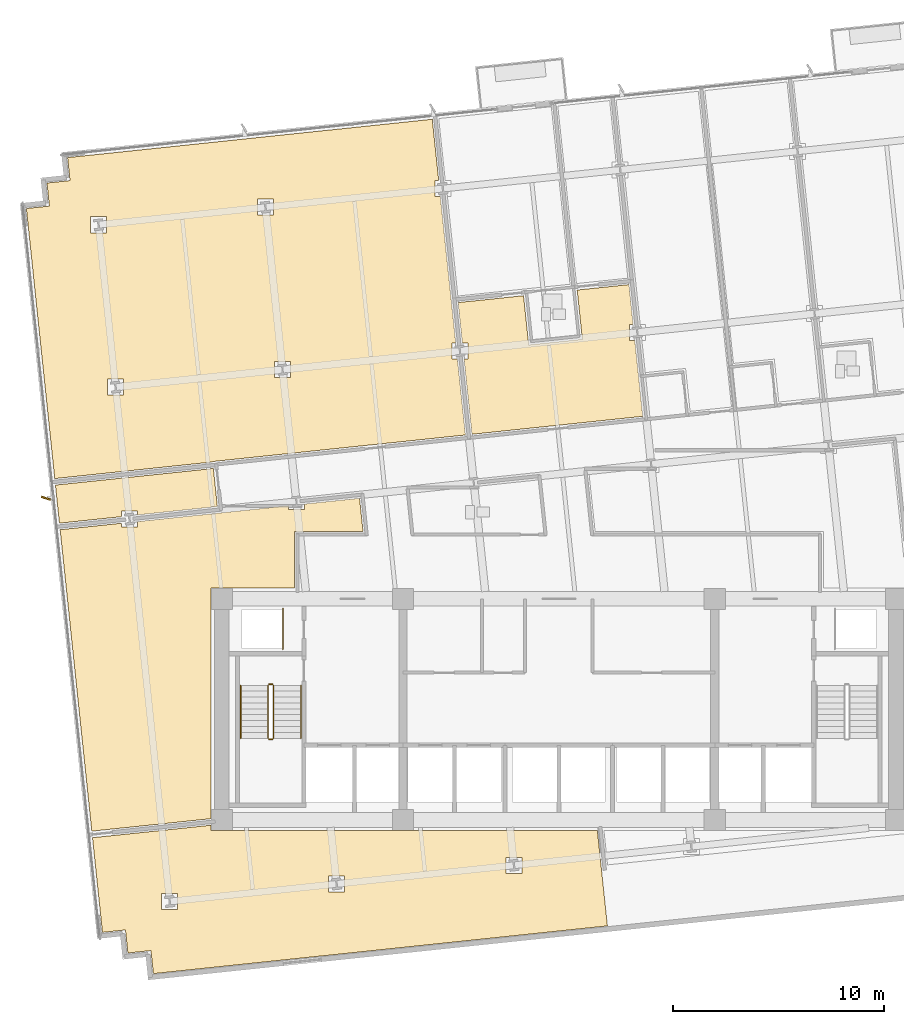
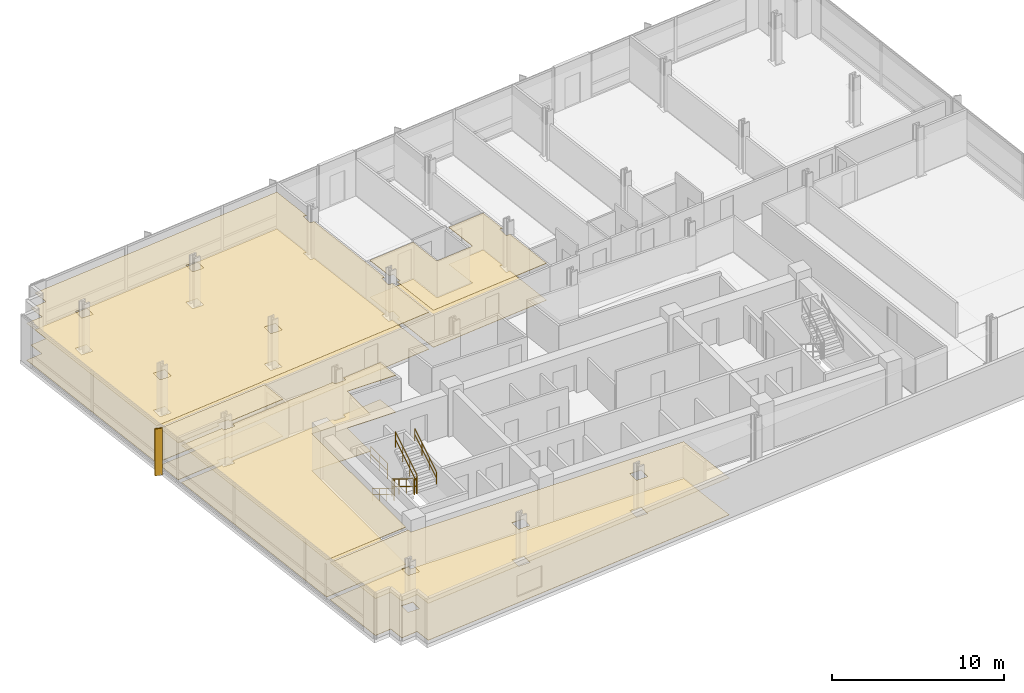
# One storey, part 14 of 17: 10 coverings, 7 railings, 1 shading device.
"""IFC4 building model written with IfcOpenShell, lengths in metres."""

from ifc_helpers import new_model, si_unit, direction, frame, origin, origin_2d, place, context, subcontext, project, spatial, polyline, rectangle, circle, outline, extrude, material, layer, layer_set, type_object, element, save


model = new_model("IFC4")

# Units and contexts
model_context = context("Model", 3, precision=1e-05, world=origin(), true_north=direction((0.0, 1.0)))
body_context = subcontext(model_context, "Body", "Model", "MODEL_VIEW")
ifc_project = project(units=[si_unit("LENGTHUNIT", "METRE"), si_unit("AREAUNIT", "SQUARE_METRE"), si_unit("VOLUMEUNIT", "CUBIC_METRE"), si_unit("PLANEANGLEUNIT", "RADIAN"), si_unit("MASSUNIT", "GRAM", prefix="KILO")], contexts=[model_context])

# Site, building, storey
site_placement = place(None, origin())
site = spatial("IfcSite", under=ifc_project, at=site_placement, CompositionType="ELEMENT")
building_placement = place(site_placement, origin())
building = spatial("IfcBuilding", under=site, at=building_placement, Name="Solmavex Isthmus Hotel", CompositionType="ELEMENT")
storey_placement = place(building_placement, frame((0.0, 0.0, 90.449951171875)))
storey = spatial("IfcBuildingStorey", under=building, at=storey_placement, Name="L24", CompositionType="ELEMENT", Elevation=90.449951171875)

# Coverings
ifc_material_1 = material(Name="Gypsum plasterboard lining", Category="gypsum")
ifc_layer_1 = layer(ifc_material_1, 0.030029296875)
ifc_layer_set_1 = layer_set([ifc_layer_1], Name="Gypsum plasterboard lining")
covering_type_1 = type_object("IfcCoveringType", Name="COV-CEIL-GYP", PredefinedType="CEILING", material=ifc_layer_set_1)
covering_1_placement = place(storey_placement, frame((0.0, 0.0, 2.6201171875)))
element("IfcCovering", 1, at=covering_1_placement, inside=storey, type_object=covering_type_1, Name="Suspended Acoustic Ceiling L24-RM01", PredefinedType="CEILING", context=body_context, shape_type="SweptSolid", body=[
    extrude(outline(polyline([(-16.43212890625, 3.99853515625), (-16.43408203125, 4.0185546875), (-4.434326171875, 5.27978515625), (-4.8134765625, 8.886962890625), (-5.077392578125, 8.886962890625), (-5.077392578125, 9.64697265625), (-4.893310546875, 9.64697265625), (-5.623779296875, 16.5966796875), (-5.8876953125, 16.5966796875), (-5.8876953125, 17.356689453125), (-5.70361328125, 17.356689453125), (-6.009521484375, 20.26708984375), (-22.49755859375, 18.5341796875), (-23.318115234375, 18.447998046875), (-23.203125, 17.35400390625), (-24.297119140625, 17.239013671875), (-24.18212890625, 16.14501953125), (-25.276123046875, 16.030029296875), (-25.18994140625, 15.20947265625), (-23.9287109375, 3.210693359375), (-16.43212890625, 3.99853515625)]), holes=[polyline([(-13.4970703125, 8.002197265625), (-13.4970703125, 8.76220703125), (-12.737060546875, 8.76220703125), (-12.737060546875, 8.002197265625), (-13.4970703125, 8.002197265625)]), polyline([(-14.307373046875, 16.4716796875), (-13.54736328125, 16.4716796875), (-13.54736328125, 15.711669921875), (-14.307373046875, 15.711669921875), (-14.307373046875, 16.4716796875)]), polyline([(-21.42138671875, 7.169189453125), (-21.42138671875, 7.92919921875), (-20.661376953125, 7.92919921875), (-20.661376953125, 7.169189453125), (-21.42138671875, 7.169189453125)]), polyline([(-22.231689453125, 14.878662109375), (-22.231689453125, 15.638671875), (-21.4716796875, 15.638671875), (-21.4716796875, 14.878662109375), (-22.231689453125, 14.878662109375)])]), origin(), (0.0, 0.0, 1.0), 0.030029296875),
])
covering_2_placement = place(storey_placement, frame((0.0, 0.0, 2.6201171875)))
element("IfcCovering", 2, at=covering_2_placement, inside=storey, type_object=covering_type_1, Name="Suspended Acoustic Ceiling L24-ST02-FY", PredefinedType="CEILING", context=body_context, shape_type="SweptSolid", body=[
    extrude(outline(polyline([(-4.58154296875, 9.64697265625), (-4.3173828125, 9.64697265625), (-4.3173828125, 8.886962890625), (-4.501708984375, 8.886962890625), (-4.1259765625, 5.31201171875), (-1.164306640625, 5.62353515625), (-0.57666015625, 5.68505859375), (3.9853515625, 6.16455078125), (3.606201171875, 9.77197265625), (3.34228515625, 9.77197265625), (3.34228515625, 10.531982421875), (3.5263671875, 10.531982421875), (3.328125, 12.418212890625), (0.86865234375, 12.15966796875), (1.1142578125, 9.822509765625), (-1.431640625, 9.554931640625), (-1.67724609375, 11.89208984375), (-4.783203125, 11.565673828125), (-4.58154296875, 9.64697265625)])), origin(), (0.0, 0.0, 1.0), 0.030029296875),
])
covering_3_placement = place(storey_placement, frame((0.0, 0.0, 2.6201171875)))
element("IfcCovering", 3, at=covering_3_placement, inside=storey, type_object=covering_type_1, Name="Suspended Acoustic Ceiling L24-FL09", PredefinedType="CEILING", context=body_context, shape_type="SweptSolid", body=[
    extrude(outline(polyline([(-16.20947265625, 1.88037109375), (-16.399658203125, 3.690185546875), (-23.896240234375, 2.90234375), (-23.7060546875, 1.09228515625), (-20.76318359375, 1.401611328125), (-20.76318359375, 1.665771484375), (-20.003173828125, 1.665771484375), (-20.003173828125, 1.4814453125), (-16.20947265625, 1.88037109375)])), origin(), (0.0, 0.0, 1.0), 0.030029296875),
])
covering_4_placement = place(storey_placement, frame((0.0, 0.0, 2.6201171875)))
element("IfcCovering", 4, at=covering_4_placement, inside=storey, type_object=covering_type_1, Name="Suspended Acoustic Ceiling L24-FL10", PredefinedType="CEILING", context=body_context, shape_type="SweptSolid", body=[
    extrude(outline(polyline([(-20.003173828125, 1.169921875), (-20.003173828125, 0.90576171875), (-20.76318359375, 0.90576171875), (-20.76318359375, 1.08984375), (-23.673583984375, 0.783935546875), (-22.780517578125, -7.714111328125), (-22.16943359375, -13.527099609375), (-16.5048828125, -12.931884765625), (-16.5048828125, -1.9951171875), (-12.554931640625, -1.9951171875), (-12.554931640625, 0.705078125), (-9.295654296875, 0.705078125), (-9.4609375, 2.27783203125), (-12.078857421875, 2.002685546875), (-12.078857421875, 1.738525390625), (-12.8388671875, 1.738525390625), (-12.8388671875, 1.9228515625), (-20.003173828125, 1.169921875)])), origin(), (0.0, 0.0, 1.0), 0.030029296875),
])
covering_5_placement = place(storey_placement, frame((0.0, 0.0, 2.6201171875)))
element("IfcCovering", 5, at=covering_5_placement, inside=storey, type_object=covering_type_1, Name="Suspended Acoustic Ceiling L24-FL11", PredefinedType="CEILING", context=body_context, shape_type="SweptSolid", body=[
    extrude(outline(polyline([(-18.42626953125, -20.202392578125), (-5.99462890625, -18.895751953125), (2.304443359375, -18.0234375), (2.019775390625, -15.3134765625), (1.82958984375, -13.5048828125), (-16.5048828125, -13.5048828125), (-16.5048828125, -13.243408203125), (-22.13720703125, -13.83544921875), (-21.7509765625, -17.51025390625), (-21.719482421875, -17.80859375), (-21.66455078125, -18.33056640625), (-20.57080078125, -18.2158203125), (-20.455810546875, -19.3095703125), (-19.36181640625, -19.194580078125), (-19.246826171875, -20.28857421875), (-18.42626953125, -20.202392578125)]), holes=[polyline([(-2.511474609375, -15.5263671875), (-2.511474609375, -14.766357421875), (-1.75146484375, -14.766357421875), (-1.75146484375, -15.5263671875), (-2.511474609375, -15.5263671875)]), polyline([(-10.93115234375, -16.411376953125), (-10.93115234375, -15.6513671875), (-10.171142578125, -15.6513671875), (-10.171142578125, -16.411376953125), (-10.93115234375, -16.411376953125)]), polyline([(-18.85546875, -17.244384765625), (-18.85546875, -16.484375), (-18.095458984375, -16.484375), (-18.095458984375, -17.244384765625), (-18.85546875, -17.244384765625)])]), origin(), (0.0, 0.0, 1.0), 0.030029296875),
])
ifc_material_2 = material(Name="Travertine natural stone", Category="masonry")
ifc_layer_2 = layer(ifc_material_2, 0.02490234375)
ifc_layer_set_2 = layer_set([ifc_layer_2], Name="Travertine natural stone")
covering_type_2 = type_object("IfcCoveringType", Name="COV-FLOR-STN", PredefinedType="FLOORING", material=ifc_layer_set_2)
covering_6_placement = place(storey_placement, origin())
element("IfcCovering", 6, at=covering_6_placement, inside=storey, type_object=covering_type_2, Name="Stone and Timber Floor Finish L24-RM01", PredefinedType="FLOORING", context=body_context, shape_type="SweptSolid", body=[
    extrude(outline(polyline([(-16.43212890625, 3.99853515625), (-16.43408203125, 4.0185546875), (-4.434326171875, 5.27978515625), (-4.8134765625, 8.886962890625), (-5.077392578125, 8.886962890625), (-5.077392578125, 9.64697265625), (-4.893310546875, 9.64697265625), (-5.623779296875, 16.5966796875), (-5.8876953125, 16.5966796875), (-5.8876953125, 17.356689453125), (-5.70361328125, 17.356689453125), (-6.009521484375, 20.26708984375), (-22.49755859375, 18.5341796875), (-23.318115234375, 18.447998046875), (-23.203125, 17.35400390625), (-24.297119140625, 17.239013671875), (-24.18212890625, 16.14501953125), (-25.276123046875, 16.030029296875), (-25.18994140625, 15.20947265625), (-23.9287109375, 3.210693359375), (-16.43212890625, 3.99853515625)]), holes=[polyline([(-13.4970703125, 8.002197265625), (-13.4970703125, 8.76220703125), (-12.737060546875, 8.76220703125), (-12.737060546875, 8.002197265625), (-13.4970703125, 8.002197265625)]), polyline([(-14.307373046875, 16.4716796875), (-13.54736328125, 16.4716796875), (-13.54736328125, 15.711669921875), (-14.307373046875, 15.711669921875), (-14.307373046875, 16.4716796875)]), polyline([(-21.42138671875, 7.169189453125), (-21.42138671875, 7.92919921875), (-20.661376953125, 7.92919921875), (-20.661376953125, 7.169189453125), (-21.42138671875, 7.169189453125)]), polyline([(-22.231689453125, 14.878662109375), (-22.231689453125, 15.638671875), (-21.4716796875, 15.638671875), (-21.4716796875, 14.878662109375), (-22.231689453125, 14.878662109375)])]), origin(), (0.0, 0.0, 1.0), 0.025146484375),
])
covering_7_placement = place(storey_placement, origin())
element("IfcCovering", 7, at=covering_7_placement, inside=storey, type_object=covering_type_2, Name="Stone and Timber Floor Finish L24-ST02-FY", PredefinedType="FLOORING", context=body_context, shape_type="SweptSolid", body=[
    extrude(outline(polyline([(-4.58154296875, 9.64697265625), (-4.3173828125, 9.64697265625), (-4.3173828125, 8.886962890625), (-4.501708984375, 8.886962890625), (-4.1259765625, 5.31201171875), (-1.164306640625, 5.62353515625), (-0.57666015625, 5.68505859375), (3.9853515625, 6.16455078125), (3.606201171875, 9.77197265625), (3.34228515625, 9.77197265625), (3.34228515625, 10.531982421875), (3.5263671875, 10.531982421875), (3.328125, 12.418212890625), (0.86865234375, 12.15966796875), (1.1142578125, 9.822509765625), (-1.431640625, 9.554931640625), (-1.67724609375, 11.89208984375), (-4.783203125, 11.565673828125), (-4.58154296875, 9.64697265625)])), origin(), (0.0, 0.0, 1.0), 0.025146484375),
])
covering_8_placement = place(storey_placement, origin())
element("IfcCovering", 8, at=covering_8_placement, inside=storey, type_object=covering_type_2, Name="Stone and Timber Floor Finish L24-FL09", PredefinedType="FLOORING", context=body_context, shape_type="SweptSolid", body=[
    extrude(outline(polyline([(-16.20947265625, 1.88037109375), (-16.399658203125, 3.690185546875), (-23.896240234375, 2.90234375), (-23.7060546875, 1.09228515625), (-20.76318359375, 1.401611328125), (-20.76318359375, 1.665771484375), (-20.003173828125, 1.665771484375), (-20.003173828125, 1.4814453125), (-16.20947265625, 1.88037109375)])), origin(), (0.0, 0.0, 1.0), 0.025146484375),
])
covering_9_placement = place(storey_placement, origin())
element("IfcCovering", 9, at=covering_9_placement, inside=storey, type_object=covering_type_2, Name="Stone and Timber Floor Finish L24-FL10", PredefinedType="FLOORING", context=body_context, shape_type="SweptSolid", body=[
    extrude(outline(polyline([(-20.003173828125, 1.169921875), (-20.003173828125, 0.90576171875), (-20.76318359375, 0.90576171875), (-20.76318359375, 1.08984375), (-23.673583984375, 0.783935546875), (-22.780517578125, -7.714111328125), (-22.16943359375, -13.527099609375), (-16.5048828125, -12.931884765625), (-16.5048828125, -1.9951171875), (-12.554931640625, -1.9951171875), (-12.554931640625, 0.705078125), (-9.295654296875, 0.705078125), (-9.4609375, 2.27783203125), (-12.078857421875, 2.002685546875), (-12.078857421875, 1.738525390625), (-12.8388671875, 1.738525390625), (-12.8388671875, 1.9228515625), (-20.003173828125, 1.169921875)])), origin(), (0.0, 0.0, 1.0), 0.025146484375),
])
covering_10_placement = place(storey_placement, origin())
element("IfcCovering", 10, at=covering_10_placement, inside=storey, type_object=covering_type_2, Name="Stone and Timber Floor Finish L24-FL11", PredefinedType="FLOORING", context=body_context, shape_type="SweptSolid", body=[
    extrude(outline(polyline([(-18.42626953125, -20.202392578125), (-5.99462890625, -18.895751953125), (2.304443359375, -18.0234375), (2.019775390625, -15.3134765625), (1.82958984375, -13.5048828125), (-16.5048828125, -13.5048828125), (-16.5048828125, -13.243408203125), (-22.13720703125, -13.83544921875), (-21.7509765625, -17.51025390625), (-21.719482421875, -17.80859375), (-21.66455078125, -18.33056640625), (-20.57080078125, -18.2158203125), (-20.455810546875, -19.3095703125), (-19.36181640625, -19.194580078125), (-19.246826171875, -20.28857421875), (-18.42626953125, -20.202392578125)]), holes=[polyline([(-2.511474609375, -15.5263671875), (-2.511474609375, -14.766357421875), (-1.75146484375, -14.766357421875), (-1.75146484375, -15.5263671875), (-2.511474609375, -15.5263671875)]), polyline([(-10.93115234375, -16.411376953125), (-10.93115234375, -15.6513671875), (-10.171142578125, -15.6513671875), (-10.171142578125, -16.411376953125), (-10.93115234375, -16.411376953125)]), polyline([(-18.85546875, -17.244384765625), (-18.85546875, -16.484375), (-18.095458984375, -16.484375), (-18.095458984375, -17.244384765625), (-18.85546875, -17.244384765625)])]), origin(), (0.0, 0.0, 1.0), 0.025146484375),
])

# Railings
ifc_material_3 = material(Name="Clear low-E laminated glass", Category="glass")
ifc_layer_3 = layer(ifc_material_3, 0.080078125)
ifc_layer_set_3 = layer_set([ifc_layer_3], Name="Clear low-E laminated glass")
railing_type_1 = type_object("IfcRailingType", Name="RAIL-ATRIUM-1120", PredefinedType="BALUSTRADE", material=ifc_layer_set_3)
railing_1_placement = place(storey_placement, frame((-13.10009765625, -4.89990234375, 0.0)))
element("IfcRailing", 11, at=railing_1_placement, inside=storey, type_object=railing_type_1, Name="Guardrail Balustrade L24-RSW-01", PredefinedType="BALUSTRADE", context=body_context, shape_type="SweptSolid", body=[
    extrude(circle(Radius=0.02392578125, at=origin_2d()), frame((0.0, 0.0, 1.1259765625), z_axis=(0.0, 1.0, 0.0), x_axis=(-1.0, 0.0, 0.0)), (0.0, 0.0, 1.0), 1.949951171875),
    extrude(circle(Radius=0.02392578125, at=origin_2d()), frame((0.0, 0.0, 0.574951171875), z_axis=(0.0, 1.0, 0.0), x_axis=(-1.0, 0.0, 0.0)), (0.0, 0.0, 1.0), 1.949951171875),
    extrude(circle(Radius=0.02099609375, at=origin_2d()), origin(), (0.0, 0.0, 1.0), 1.101806640625),
    extrude(circle(Radius=0.02099609375, at=origin_2d()), frame((0.0, 0.97509765625, 0.0)), (0.0, 0.0, 1.0), 1.101806640625),
    extrude(circle(Radius=0.02099609375, at=origin_2d()), frame((0.0, 1.949951171875, 0.0)), (0.0, 0.0, 1.0), 1.101806640625),
])
ifc_material_4 = material(Name="Stainless steel 316", Category="steel")
ifc_layer_4 = layer(ifc_material_4, 0.06005859375)
ifc_layer_set_4 = layer_set([ifc_layer_4], Name="Stainless steel 316")
railing_type_2 = type_object("IfcRailingType", Name="RAIL-STAIR-GD", PredefinedType="GUARDRAIL", material=ifc_layer_set_4)
railing_2_placement = place(storey_placement, frame((-13.800048828125, -6.60009765625, 0.172607421875)))
element("IfcRailing", 12, at=railing_2_placement, inside=storey, type_object=railing_type_2, Name="L24 ST-1 stair guard 1", PredefinedType="GUARDRAIL", context=body_context, shape_type="SweptSolid", body=[
    extrude(circle(Radius=0.02392578125, at=origin_2d()), frame((0.0, 0.0, 1.09619140625), z_axis=(0.0, -0.851400495292, 0.524516154772), x_axis=(1.0, 0.0, 0.0)), (0.0, 0.0, 1.0), 2.9599609375),
    extrude(circle(Radius=0.02392578125, at=origin_2d()), frame((0.0, 0.0, 0.56005859375), z_axis=(0.0, -0.851400495292, 0.524516154772), x_axis=(1.0, 0.0, 0.0)), (0.0, 0.0, 1.0), 2.9599609375),
    extrude(circle(Radius=0.02099609375, at=origin_2d()), origin(), (0.0, 0.0, 1.0), 1.072021484375),
    extrude(circle(Radius=0.02099609375, at=origin_2d()), frame((0.0, -0.840087890625, 0.517578125)), (0.0, 0.0, 1.0), 1.072021484375),
    extrude(circle(Radius=0.02099609375, at=origin_2d()), frame((0.0, -1.679931640625, 1.034912109375)), (0.0, 0.0, 1.0), 1.072021484375),
    extrude(circle(Radius=0.02099609375, at=origin_2d()), frame((0.0, -2.52001953125, 1.552490234375)), (0.0, 0.0, 1.0), 1.072021484375),
])
railing_3_placement = place(storey_placement, frame((-13.75, -9.169921875, 1.72509765625)))
element("IfcRailing", 13, at=railing_3_placement, inside=storey, type_object=railing_type_2, Name="L24 ST-1 stair guard 2", PredefinedType="GUARDRAIL", context=body_context, shape_type="SweptSolid", body=[
    extrude(circle(Radius=0.02392578125, at=origin_2d()), frame((0.0, 0.0, 1.09619140625), z_axis=(1.0, 0.0, 0.0), x_axis=(0.0, 1.0, 0.0)), (0.0, 0.0, 1.0), 0.14990234375),
    extrude(circle(Radius=0.02392578125, at=origin_2d()), frame((0.0, 0.0, 0.56005859375), z_axis=(1.0, 0.0, 0.0), x_axis=(0.0, 1.0, 0.0)), (0.0, 0.0, 1.0), 0.14990234375),
    extrude(circle(Radius=0.02099609375, at=origin_2d()), origin(), (0.0, 0.0, 1.0), 1.072021484375),
    extrude(circle(Radius=0.02099609375, at=origin_2d()), frame((0.14990234375, 0.0, 0.0)), (0.0, 0.0, 1.0), 1.072021484375),
])
railing_4_placement = place(storey_placement, frame((-13.550048828125, -9.1201171875, 1.8974609375)))
element("IfcRailing", 14, at=railing_4_placement, inside=storey, type_object=railing_type_2, Name="L24 ST-1 stair guard 3", PredefinedType="GUARDRAIL", context=body_context, shape_type="SweptSolid", body=[
    extrude(circle(Radius=0.02392578125, at=origin_2d()), frame((0.0, 0.0, 1.09619140625), z_axis=(0.0, 0.851400495292, 0.524516154772), x_axis=(-1.0, 0.0, 0.0)), (0.0, 0.0, 1.0), 2.9599609375),
    extrude(circle(Radius=0.02392578125, at=origin_2d()), frame((0.0, 0.0, 0.56005859375), z_axis=(0.0, 0.851400495292, 0.524516154772), x_axis=(-1.0, 0.0, 0.0)), (0.0, 0.0, 1.0), 2.9599609375),
    extrude(circle(Radius=0.02099609375, at=origin_2d()), origin(), (0.0, 0.0, 1.0), 1.072021484375),
    extrude(circle(Radius=0.02099609375, at=origin_2d()), frame((0.0, 0.840087890625, 0.517578125)), (0.0, 0.0, 1.0), 1.072021484375),
    extrude(circle(Radius=0.02099609375, at=origin_2d()), frame((0.0, 1.679931640625, 1.034912109375)), (0.0, 0.0, 1.0), 1.072021484375),
    extrude(circle(Radius=0.02099609375, at=origin_2d()), frame((0.0, 2.52001953125, 1.552490234375)), (0.0, 0.0, 1.0), 1.072021484375),
])
railing_5_placement = place(storey_placement, frame((-13.75, -6.550048828125, 0.0)))
element("IfcRailing", 15, at=railing_5_placement, inside=storey, type_object=railing_type_2, Name="L24 ST-1 stair guard 4", PredefinedType="GUARDRAIL", context=body_context, shape_type="SweptSolid", body=[
    extrude(circle(Radius=0.02392578125, at=origin_2d()), frame((0.0, 0.0, 1.09619140625), z_axis=(1.0, 0.0, 0.0), x_axis=(0.0, 1.0, 0.0)), (0.0, 0.0, 1.0), 0.14990234375),
    extrude(circle(Radius=0.02392578125, at=origin_2d()), frame((0.0, 0.0, 0.56005859375), z_axis=(1.0, 0.0, 0.0), x_axis=(0.0, 1.0, 0.0)), (0.0, 0.0, 1.0), 0.14990234375),
    extrude(circle(Radius=0.02099609375, at=origin_2d()), origin(), (0.0, 0.0, 1.0), 1.072021484375),
    extrude(circle(Radius=0.02099609375, at=origin_2d()), frame((0.14990234375, 0.0, 0.0)), (0.0, 0.0, 1.0), 1.072021484375),
])
ifc_layer_5 = layer(ifc_material_4, 0.050048828125)
ifc_layer_set_5 = layer_set([ifc_layer_5], Name="Stainless steel 316")
railing_type_3 = type_object("IfcRailingType", Name="RAIL-STAIR-HR", PredefinedType="HANDRAIL", material=ifc_layer_set_5)
railing_6_placement = place(storey_placement, frame((-15.10009765625, -6.60009765625, 0.172607421875)))
element("IfcRailing", 16, at=railing_6_placement, inside=storey, type_object=railing_type_3, Name="L24 ST-1 stair handrail 1", PredefinedType="HANDRAIL", context=body_context, shape_type="SweptSolid", body=[
    extrude(circle(Radius=0.02392578125, at=origin_2d()), frame((0.0, 0.0, 0.8759765625), z_axis=(0.0, -0.851400495292, 0.524516154772), x_axis=(1.0, 0.0, 0.0)), (0.0, 0.0, 1.0), 2.9599609375),
    extrude(circle(Radius=0.02392578125, at=origin_2d()), frame((0.0, 0.0, 0.449951171875), z_axis=(0.0, -0.851400495292, 0.524516154772), x_axis=(1.0, 0.0, 0.0)), (0.0, 0.0, 1.0), 2.9599609375),
    extrude(circle(Radius=0.02099609375, at=origin_2d()), origin(), (0.0, 0.0, 1.0), 0.851806640625),
    extrude(circle(Radius=0.02099609375, at=origin_2d()), frame((0.0, -0.840087890625, 0.517578125)), (0.0, 0.0, 1.0), 0.851806640625),
    extrude(circle(Radius=0.02099609375, at=origin_2d()), frame((0.0, -1.679931640625, 1.034912109375)), (0.0, 0.0, 1.0), 0.851806640625),
    extrude(circle(Radius=0.02099609375, at=origin_2d()), frame((0.0, -2.52001953125, 1.552490234375)), (0.0, 0.0, 1.0), 0.851806640625),
])
railing_7_placement = place(storey_placement, frame((-12.25, -9.1201171875, 1.8974609375)))
element("IfcRailing", 17, at=railing_7_placement, inside=storey, type_object=railing_type_3, Name="L24 ST-1 stair handrail 2", PredefinedType="HANDRAIL", context=body_context, shape_type="SweptSolid", body=[
    extrude(circle(Radius=0.02392578125, at=origin_2d()), frame((0.0, 0.0, 0.8759765625), z_axis=(0.0, 0.851400495292, 0.524516154772), x_axis=(-1.0, 0.0, 0.0)), (0.0, 0.0, 1.0), 2.9599609375),
    extrude(circle(Radius=0.02392578125, at=origin_2d()), frame((0.0, 0.0, 0.449951171875), z_axis=(0.0, 0.851400495292, 0.524516154772), x_axis=(-1.0, 0.0, 0.0)), (0.0, 0.0, 1.0), 2.9599609375),
    extrude(circle(Radius=0.02099609375, at=origin_2d()), origin(), (0.0, 0.0, 1.0), 0.851806640625),
    extrude(circle(Radius=0.02099609375, at=origin_2d()), frame((0.0, 0.840087890625, 0.517578125)), (0.0, 0.0, 1.0), 0.851806640625),
    extrude(circle(Radius=0.02099609375, at=origin_2d()), frame((0.0, 1.679931640625, 1.034912109375)), (0.0, 0.0, 1.0), 0.851806640625),
    extrude(circle(Radius=0.02099609375, at=origin_2d()), frame((0.0, 2.52001953125, 1.552490234375)), (0.0, 0.0, 1.0), 0.851806640625),
])

# Shading device
ifc_material_5 = material(Name="Aluminium alloy 6063-T6", Category="aluminium")
shading_device_type = type_object("IfcShadingDeviceType", Name="SHD-FIN-BRONZE", PredefinedType="USERDEFINED", material=ifc_material_5)
shading_device_placement = place(storey_placement, frame((-24.348388671875, 2.276611328125, -0.139892578125), z_axis=(0.0, 0.0, 1.0), x_axis=(-0.951056516295, 0.309016994375, 0.0)))
element("IfcShadingDevice", 18, at=shading_device_placement, inside=storey, type_object=shading_device_type, Name="Anodised Aluminium Solar Fin L24-W1", ObjectType="SOLAR_FIN", PredefinedType="USERDEFINED", context=body_context, shape_type="SweptSolid", body=[
    extrude(rectangle(XDim=0.449951171875, YDim=0.080078125, at=origin_2d()), origin(), (0.0, 0.0, 1.0), 3.330078125),
])

save(model, "model.ifc")
